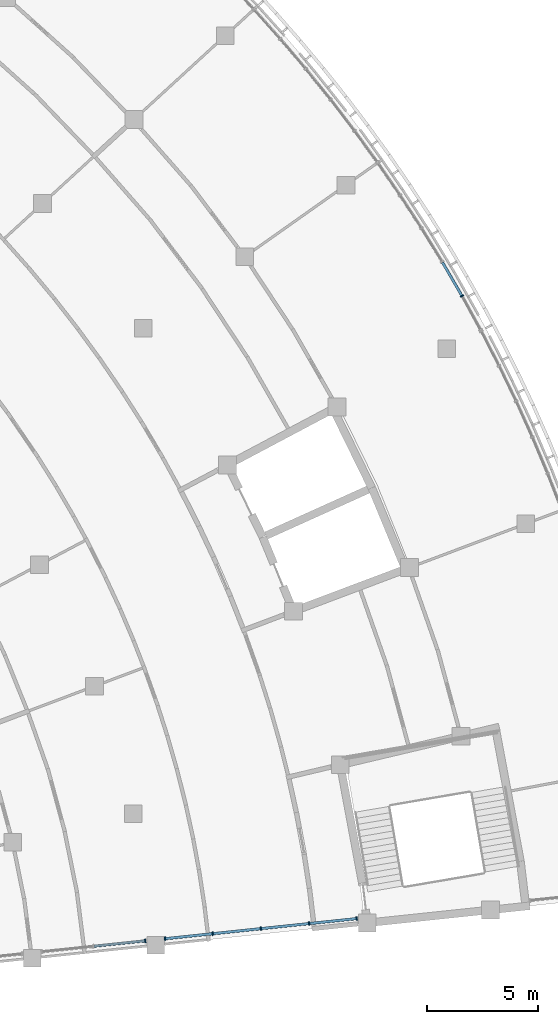
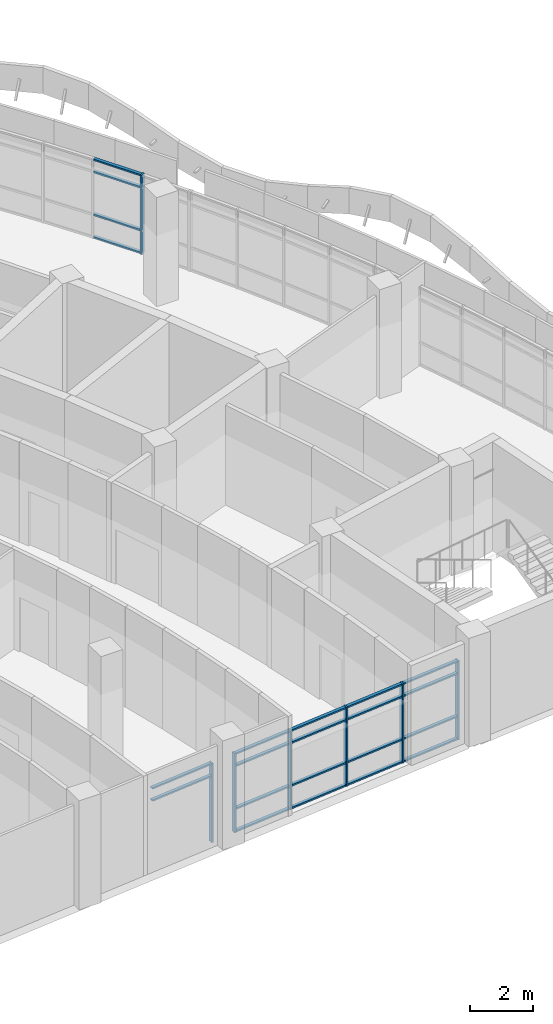
# One storey, part 13 of 109: 29 members, 3 elements without a shape of their own.
"""IFC4 building model written with IfcOpenShell, lengths in metres."""

from ifc_helpers import new_model, si_unit, direction, frame, origin, origin_2d, place, context, subcontext, project, spatial, rectangle, extrude, material, material_profile, profile_set, type_object, element, aggregate, save


model = new_model("IFC4")

# Units and contexts
model_context = context("Model", 3, precision=1e-05, world=origin(), true_north=direction((0.0, 1.0)))
body_context = subcontext(model_context, "Body", "Model", "MODEL_VIEW")
ifc_project = project(units=[si_unit("LENGTHUNIT", "METRE"), si_unit("AREAUNIT", "SQUARE_METRE"), si_unit("VOLUMEUNIT", "CUBIC_METRE"), si_unit("PLANEANGLEUNIT", "RADIAN"), si_unit("MASSUNIT", "GRAM", prefix="KILO")], contexts=[model_context])

# Site, building, storey
site_placement = place(None, origin())
site = spatial("IfcSite", under=ifc_project, at=site_placement, CompositionType="ELEMENT")
building_placement = place(site_placement, origin())
building = spatial("IfcBuilding", under=site, at=building_placement, Name="Bougainvillea Quay General Hospital", CompositionType="ELEMENT")
storey_placement = place(building_placement, frame((0.0, 0.0, 12.60009765625)))
storey = spatial("IfcBuildingStorey", under=building, at=storey_placement, Name="L02", CompositionType="ELEMENT", Elevation=12.60009765625)

# Curtain wall, member
ifc_material_1 = material(Name="Aluminium curtain wall system, powder-coated glazed", Category="aluminium")
curtain_wall_type_1 = type_object("IfcCurtainWallType", Name="Unitised curtain wall CW-2380", PredefinedType="NOTDEFINED", material=ifc_material_1)
curtain_wall_1_placement = place(storey_placement, origin())
curtain_wall_1 = element("IfcCurtainWall", 1, at=curtain_wall_1_placement, inside=storey, type_object=curtain_wall_type_1, Name="CW-AE 02", PredefinedType="NOTDEFINED")
ifc_material_2 = material(Name="Aluminium mullion, powder-coated charcoal", Category="aluminium")
ifc_material_profile_1 = material_profile(ifc_material_2, rectangle(XDim=0.159912109375, YDim=0.06005859375, at=origin_2d()))
ifc_profile_set_1 = profile_set([ifc_material_profile_1], Name="Aluminium mullion, powder-coated charcoal")
member_type_1 = type_object("IfcMemberType", Name="Curtain wall mullion 160x60", PredefinedType="MULLION", material=ifc_profile_set_1)
member_1_placement = place(storey_placement, frame((155.667724609375, 27.13525390625, 0.0), z_axis=(0.0, 0.0, 1.0), x_axis=(-0.104527173765, 0.9945220309, 0.0)))
member_1 = element("IfcMember", 2, at=member_1_placement, type_object=member_type_1, Name="CW-AE mullion 3", PredefinedType="MULLION", context=body_context, shape_type="SweptSolid", body=[
    extrude(rectangle(XDim=0.159912109375, YDim=0.06005859375, at=origin_2d()), origin(), (0.0, 0.0, 1.0), 3.0498046875),
])

# Curtain wall, members
curtain_wall_type_2 = type_object("IfcCurtainWallType", Name="Unitised curtain wall CW-2190", PredefinedType="NOTDEFINED", material=ifc_material_1)
curtain_wall_2_placement = place(storey_placement, origin())
curtain_wall_2 = element("IfcCurtainWall", 3, at=curtain_wall_2_placement, inside=storey, type_object=curtain_wall_type_2, Name="CW-AE 03", PredefinedType="NOTDEFINED")
member_2_placement = place(storey_placement, frame((156.562744140625, 27.2294921875, 0.0), z_axis=(0.0, 0.0, 1.0), x_axis=(-0.104527173765, 0.9945220309, 0.0)))
member_2 = element("IfcMember", 4, at=member_2_placement, type_object=member_type_1, Name="CW-AE mullion 1", PredefinedType="MULLION", context=body_context, shape_type="SweptSolid", body=[
    extrude(rectangle(XDim=0.159912109375, YDim=0.06005859375, at=origin_2d()), origin(), (0.0, 0.0, 1.0), 3.0498046875),
])
member_3_placement = place(storey_placement, frame((158.7109375, 27.455078125, 0.0), z_axis=(0.0, 0.0, 1.0), x_axis=(-0.104527173765, 0.9945220309, 0.0)))
member_3 = element("IfcMember", 5, at=member_3_placement, type_object=member_type_1, Name="CW-AE mullion 2", PredefinedType="MULLION", context=body_context, shape_type="SweptSolid", body=[
    extrude(rectangle(XDim=0.159912109375, YDim=0.06005859375, at=origin_2d()), origin(), (0.0, 0.0, 1.0), 3.0498046875),
])
member_4_placement = place(storey_placement, frame((160.888671875, 27.68408203125, 0.0), z_axis=(0.0, 0.0, 1.0), x_axis=(-0.104527173765, 0.9945220309, 0.0)))
member_4 = element("IfcMember", 6, at=member_4_placement, type_object=member_type_1, Name="CW-AE mullion 3", PredefinedType="MULLION", context=body_context, shape_type="SweptSolid", body=[
    extrude(rectangle(XDim=0.159912109375, YDim=0.06005859375, at=origin_2d()), origin(), (0.0, 0.0, 1.0), 3.0498046875),
])
member_5_placement = place(storey_placement, frame((163.066650390625, 27.9130859375, 0.0), z_axis=(0.0, 0.0, 1.0), x_axis=(-0.104527173765, 0.9945220309, 0.0)))
member_5 = element("IfcMember", 7, at=member_5_placement, type_object=member_type_1, Name="CW-AE mullion 4", PredefinedType="MULLION", context=body_context, shape_type="SweptSolid", body=[
    extrude(rectangle(XDim=0.159912109375, YDim=0.06005859375, at=origin_2d()), origin(), (0.0, 0.0, 1.0), 3.0498046875),
])
member_6_placement = place(storey_placement, frame((165.21484375, 28.138671875, 0.0), z_axis=(0.0, 0.0, 1.0), x_axis=(-0.104527173765, 0.9945220309, 0.0)))
member_6 = element("IfcMember", 8, at=member_6_placement, type_object=member_type_1, Name="CW-AE mullion 5", PredefinedType="MULLION", context=body_context, shape_type="SweptSolid", body=[
    extrude(rectangle(XDim=0.159912109375, YDim=0.06005859375, at=origin_2d()), origin(), (0.0, 0.0, 1.0), 3.0498046875),
])

# Curtain wall, member
curtain_wall_type_3 = type_object("IfcCurtainWallType", Name="Unitised curtain wall CW-2100", PredefinedType="NOTDEFINED", material=ifc_material_1)
curtain_wall_3_placement = place(storey_placement, origin())
curtain_wall_3 = element("IfcCurtainWall", 9, at=curtain_wall_3_placement, inside=storey, type_object=curtain_wall_type_3, Name="CW-E05 a23b4", PredefinedType="NOTDEFINED")
member_7_placement = place(storey_placement, frame((169.966064453125, 56.243408203125, 0.0), z_axis=(0.0, 0.0, 1.0), x_axis=(0.871193247428, 0.490940246503, 0.0)))
member_7 = element("IfcMember", 10, at=member_7_placement, type_object=member_type_1, Name="CW-E05 mullion 5", PredefinedType="MULLION", context=body_context, shape_type="SweptSolid", body=[
    extrude(rectangle(XDim=0.159912109375, YDim=0.06005859375, at=origin_2d()), origin(), (0.0, 0.0, 1.0), 3.0498046875),
])

# Member
ifc_material_3 = material(Name="Aluminium transom, powder-coated charcoal", Category="aluminium")
ifc_material_profile_2 = material_profile(ifc_material_3, rectangle(XDim=0.1201171875, YDim=0.06005859375, at=origin_2d()))
ifc_profile_set_2 = profile_set([ifc_material_profile_2], Name="Aluminium transom, powder-coated charcoal")
member_type_2 = type_object("IfcMemberType", Name="Curtain wall transom 120x60", PredefinedType="USERDEFINED", material=ifc_profile_set_2)
member_8_placement = place(storey_placement, frame((153.360595703125, 26.892822265625, 2.5498046875), z_axis=(0.994526464215, 0.104484984448, 0.0), x_axis=(-0.104484984448, 0.994526464215, 0.0)))
member_8 = element("IfcMember", 11, at=member_8_placement, type_object=member_type_2, Name="CW-AE transom 2.3", ObjectType="TRANSOM", PredefinedType="USERDEFINED", context=body_context, shape_type="SweptSolid", body=[
    extrude(rectangle(XDim=0.1201171875, YDim=0.06005859375, at=origin_2d()), origin(), (0.0, 0.0, 1.0), 2.289794921875),
])

member_9_placement = place(storey_placement, frame((153.360595703125, 26.892822265625, 3.02001953125), z_axis=(0.994526464215, 0.104484984448, 0.0), x_axis=(-0.104484984448, 0.994526464215, 0.0)))
member_9 = element("IfcMember", 12, at=member_9_placement, type_object=member_type_2, Name="CW-AE transom 2.4", ObjectType="TRANSOM", PredefinedType="USERDEFINED", context=body_context, shape_type="SweptSolid", body=[
    extrude(rectangle(XDim=0.1201171875, YDim=0.06005859375, at=origin_2d()), origin(), (0.0, 0.0, 1.0), 2.289794921875),
])

aggregate(curtain_wall_1, [member_1, member_8, member_9])

member_10_placement = place(storey_placement, frame((156.592529296875, 27.232421875, 0.02978515625), z_axis=(0.994522640205, 0.104521376379, 0.0), x_axis=(-0.104521376379, 0.994522640205, 0.0)))
member_10 = element("IfcMember", 13, at=member_10_placement, type_object=member_type_2, Name="CW-AE transom 1.1", ObjectType="TRANSOM", PredefinedType="USERDEFINED", context=body_context, shape_type="SweptSolid", body=[
    extrude(rectangle(XDim=0.1201171875, YDim=0.06005859375, at=origin_2d()), origin(), (0.0, 0.0, 1.0), 2.099853515625),
])

member_11_placement = place(storey_placement, frame((156.592529296875, 27.232421875, 0.89990234375), z_axis=(0.994522640205, 0.104521376379, 0.0), x_axis=(-0.104521376379, 0.994522640205, 0.0)))
member_11 = element("IfcMember", 14, at=member_11_placement, type_object=member_type_2, Name="CW-AE transom 1.2", ObjectType="TRANSOM", PredefinedType="USERDEFINED", context=body_context, shape_type="SweptSolid", body=[
    extrude(rectangle(XDim=0.1201171875, YDim=0.06005859375, at=origin_2d()), origin(), (0.0, 0.0, 1.0), 2.099853515625),
])

member_12_placement = place(storey_placement, frame((156.592529296875, 27.232421875, 2.5498046875), z_axis=(0.994522640205, 0.104521376379, 0.0), x_axis=(-0.104521376379, 0.994522640205, 0.0)))
member_12 = element("IfcMember", 15, at=member_12_placement, type_object=member_type_2, Name="CW-AE transom 1.3", ObjectType="TRANSOM", PredefinedType="USERDEFINED", context=body_context, shape_type="SweptSolid", body=[
    extrude(rectangle(XDim=0.1201171875, YDim=0.06005859375, at=origin_2d()), origin(), (0.0, 0.0, 1.0), 2.099853515625),
])

member_13_placement = place(storey_placement, frame((156.592529296875, 27.232421875, 3.02001953125), z_axis=(0.994522640205, 0.104521376379, 0.0), x_axis=(-0.104521376379, 0.994522640205, 0.0)))
member_13 = element("IfcMember", 16, at=member_13_placement, type_object=member_type_2, Name="CW-AE transom 1.4", ObjectType="TRANSOM", PredefinedType="USERDEFINED", context=body_context, shape_type="SweptSolid", body=[
    extrude(rectangle(XDim=0.1201171875, YDim=0.06005859375, at=origin_2d()), origin(), (0.0, 0.0, 1.0), 2.099853515625),
])

member_14_placement = place(storey_placement, frame((158.74072265625, 27.458251953125, 0.02978515625), z_axis=(0.994520517099, 0.104541575795, 0.0), x_axis=(-0.104541575795, 0.994520517099, 0.0)))
member_14 = element("IfcMember", 17, at=member_14_placement, type_object=member_type_2, Name="CW-AE transom 2.1", ObjectType="TRANSOM", PredefinedType="USERDEFINED", context=body_context, shape_type="SweptSolid", body=[
    extrude(rectangle(XDim=0.1201171875, YDim=0.06005859375, at=origin_2d()), origin(), (0.0, 0.0, 1.0), 2.1298828125),
])

member_15_placement = place(storey_placement, frame((158.74072265625, 27.458251953125, 0.89990234375), z_axis=(0.994520517099, 0.104541575795, 0.0), x_axis=(-0.104541575795, 0.994520517099, 0.0)))
member_15 = element("IfcMember", 18, at=member_15_placement, type_object=member_type_2, Name="CW-AE transom 2.2", ObjectType="TRANSOM", PredefinedType="USERDEFINED", context=body_context, shape_type="SweptSolid", body=[
    extrude(rectangle(XDim=0.1201171875, YDim=0.06005859375, at=origin_2d()), origin(), (0.0, 0.0, 1.0), 2.1298828125),
])

member_16_placement = place(storey_placement, frame((158.74072265625, 27.458251953125, 2.5498046875), z_axis=(0.994520517099, 0.104541575795, 0.0), x_axis=(-0.104541575795, 0.994520517099, 0.0)))
member_16 = element("IfcMember", 19, at=member_16_placement, type_object=member_type_2, Name="CW-AE transom 2.3", ObjectType="TRANSOM", PredefinedType="USERDEFINED", context=body_context, shape_type="SweptSolid", body=[
    extrude(rectangle(XDim=0.1201171875, YDim=0.06005859375, at=origin_2d()), origin(), (0.0, 0.0, 1.0), 2.1298828125),
])

member_17_placement = place(storey_placement, frame((158.74072265625, 27.458251953125, 3.02001953125), z_axis=(0.994520517099, 0.104541575795, 0.0), x_axis=(-0.104541575795, 0.994520517099, 0.0)))
member_17 = element("IfcMember", 20, at=member_17_placement, type_object=member_type_2, Name="CW-AE transom 2.4", ObjectType="TRANSOM", PredefinedType="USERDEFINED", context=body_context, shape_type="SweptSolid", body=[
    extrude(rectangle(XDim=0.1201171875, YDim=0.06005859375, at=origin_2d()), origin(), (0.0, 0.0, 1.0), 2.1298828125),
])

member_18_placement = place(storey_placement, frame((160.91845703125, 27.687255859375, 0.02978515625), z_axis=(0.994521769657, 0.104529659321, 0.0), x_axis=(-0.104529659321, 0.994521769657, 0.0)))
member_18 = element("IfcMember", 21, at=member_18_placement, type_object=member_type_2, Name="CW-AE transom 3.1", ObjectType="TRANSOM", PredefinedType="USERDEFINED", context=body_context, shape_type="SweptSolid", body=[
    extrude(rectangle(XDim=0.1201171875, YDim=0.06005859375, at=origin_2d()), origin(), (0.0, 0.0, 1.0), 2.130126953125),
])

member_19_placement = place(storey_placement, frame((160.91845703125, 27.687255859375, 0.89990234375), z_axis=(0.994521769657, 0.104529659321, 0.0), x_axis=(-0.104529659321, 0.994521769657, 0.0)))
member_19 = element("IfcMember", 22, at=member_19_placement, type_object=member_type_2, Name="CW-AE transom 3.2", ObjectType="TRANSOM", PredefinedType="USERDEFINED", context=body_context, shape_type="SweptSolid", body=[
    extrude(rectangle(XDim=0.1201171875, YDim=0.06005859375, at=origin_2d()), origin(), (0.0, 0.0, 1.0), 2.130126953125),
])

member_20_placement = place(storey_placement, frame((160.91845703125, 27.687255859375, 2.5498046875), z_axis=(0.994521769657, 0.104529659321, 0.0), x_axis=(-0.104529659321, 0.994521769657, 0.0)))
member_20 = element("IfcMember", 23, at=member_20_placement, type_object=member_type_2, Name="CW-AE transom 3.3", ObjectType="TRANSOM", PredefinedType="USERDEFINED", context=body_context, shape_type="SweptSolid", body=[
    extrude(rectangle(XDim=0.1201171875, YDim=0.06005859375, at=origin_2d()), origin(), (0.0, 0.0, 1.0), 2.130126953125),
])

member_21_placement = place(storey_placement, frame((160.91845703125, 27.687255859375, 3.02001953125), z_axis=(0.994521769657, 0.104529659321, 0.0), x_axis=(-0.104529659321, 0.994521769657, 0.0)))
member_21 = element("IfcMember", 24, at=member_21_placement, type_object=member_type_2, Name="CW-AE transom 3.4", ObjectType="TRANSOM", PredefinedType="USERDEFINED", context=body_context, shape_type="SweptSolid", body=[
    extrude(rectangle(XDim=0.1201171875, YDim=0.06005859375, at=origin_2d()), origin(), (0.0, 0.0, 1.0), 2.130126953125),
])

member_22_placement = place(storey_placement, frame((163.096435546875, 27.916015625, 0.02978515625), z_axis=(0.994522640205, 0.104521376379, 0.0), x_axis=(-0.104521376379, 0.994522640205, 0.0)))
member_22 = element("IfcMember", 25, at=member_22_placement, type_object=member_type_2, Name="CW-AE transom 4.1", ObjectType="TRANSOM", PredefinedType="USERDEFINED", context=body_context, shape_type="SweptSolid", body=[
    extrude(rectangle(XDim=0.1201171875, YDim=0.06005859375, at=origin_2d()), origin(), (0.0, 0.0, 1.0), 2.099853515625),
])

member_23_placement = place(storey_placement, frame((163.096435546875, 27.916015625, 0.89990234375), z_axis=(0.994522640205, 0.104521376379, 0.0), x_axis=(-0.104521376379, 0.994522640205, 0.0)))
member_23 = element("IfcMember", 26, at=member_23_placement, type_object=member_type_2, Name="CW-AE transom 4.2", ObjectType="TRANSOM", PredefinedType="USERDEFINED", context=body_context, shape_type="SweptSolid", body=[
    extrude(rectangle(XDim=0.1201171875, YDim=0.06005859375, at=origin_2d()), origin(), (0.0, 0.0, 1.0), 2.099853515625),
])

member_24_placement = place(storey_placement, frame((163.096435546875, 27.916015625, 2.5498046875), z_axis=(0.994522640205, 0.104521376379, 0.0), x_axis=(-0.104521376379, 0.994522640205, 0.0)))
member_24 = element("IfcMember", 27, at=member_24_placement, type_object=member_type_2, Name="CW-AE transom 4.3", ObjectType="TRANSOM", PredefinedType="USERDEFINED", context=body_context, shape_type="SweptSolid", body=[
    extrude(rectangle(XDim=0.1201171875, YDim=0.06005859375, at=origin_2d()), origin(), (0.0, 0.0, 1.0), 2.099853515625),
])

member_25_placement = place(storey_placement, frame((163.096435546875, 27.916015625, 3.02001953125), z_axis=(0.994522640205, 0.104521376379, 0.0), x_axis=(-0.104521376379, 0.994522640205, 0.0)))
member_25 = element("IfcMember", 28, at=member_25_placement, type_object=member_type_2, Name="CW-AE transom 4.4", ObjectType="TRANSOM", PredefinedType="USERDEFINED", context=body_context, shape_type="SweptSolid", body=[
    extrude(rectangle(XDim=0.1201171875, YDim=0.06005859375, at=origin_2d()), origin(), (0.0, 0.0, 1.0), 2.099853515625),
])

aggregate(curtain_wall_2, [member_2, member_3, member_4, member_5, member_6, member_10, member_11, member_12, member_13, member_14, member_15, member_16, member_17, member_18, member_19, member_20, member_21, member_22, member_23, member_24, member_25])

member_26_placement = place(storey_placement, frame((169.08740234375, 57.757080078125, 0.02978515625), z_axis=(0.502087586524, -0.864816775658, 0.0), x_axis=(0.864816775658, 0.502087586524, 0.0)))
member_26 = element("IfcMember", 29, at=member_26_placement, type_object=member_type_2, Name="CW-E05 transom 4.1", ObjectType="TRANSOM", PredefinedType="USERDEFINED", context=body_context, shape_type="SweptSolid", body=[
    extrude(rectangle(XDim=0.1201171875, YDim=0.06005859375, at=origin_2d()), origin(), (0.0, 0.0, 1.0), 1.720458984375),
])

member_27_placement = place(storey_placement, frame((169.08740234375, 57.757080078125, 0.89990234375), z_axis=(0.502087586524, -0.864816775658, 0.0), x_axis=(0.864816775658, 0.502087586524, 0.0)))
member_27 = element("IfcMember", 30, at=member_27_placement, type_object=member_type_2, Name="CW-E05 transom 4.2", ObjectType="TRANSOM", PredefinedType="USERDEFINED", context=body_context, shape_type="SweptSolid", body=[
    extrude(rectangle(XDim=0.1201171875, YDim=0.06005859375, at=origin_2d()), origin(), (0.0, 0.0, 1.0), 1.720458984375),
])

member_28_placement = place(storey_placement, frame((169.08740234375, 57.757080078125, 2.5498046875), z_axis=(0.502087586524, -0.864816775658, 0.0), x_axis=(0.864816775658, 0.502087586524, 0.0)))
member_28 = element("IfcMember", 31, at=member_28_placement, type_object=member_type_2, Name="CW-E05 transom 4.3", ObjectType="TRANSOM", PredefinedType="USERDEFINED", context=body_context, shape_type="SweptSolid", body=[
    extrude(rectangle(XDim=0.1201171875, YDim=0.06005859375, at=origin_2d()), origin(), (0.0, 0.0, 1.0), 1.720458984375),
])

member_29_placement = place(storey_placement, frame((169.08740234375, 57.757080078125, 3.02001953125), z_axis=(0.502087586524, -0.864816775658, 0.0), x_axis=(0.864816775658, 0.502087586524, 0.0)))
member_29 = element("IfcMember", 32, at=member_29_placement, type_object=member_type_2, Name="CW-E05 transom 4.4", ObjectType="TRANSOM", PredefinedType="USERDEFINED", context=body_context, shape_type="SweptSolid", body=[
    extrude(rectangle(XDim=0.1201171875, YDim=0.06005859375, at=origin_2d()), origin(), (0.0, 0.0, 1.0), 1.720458984375),
])

aggregate(curtain_wall_3, [member_7, member_26, member_27, member_28, member_29])

save(model, "model.ifc")
